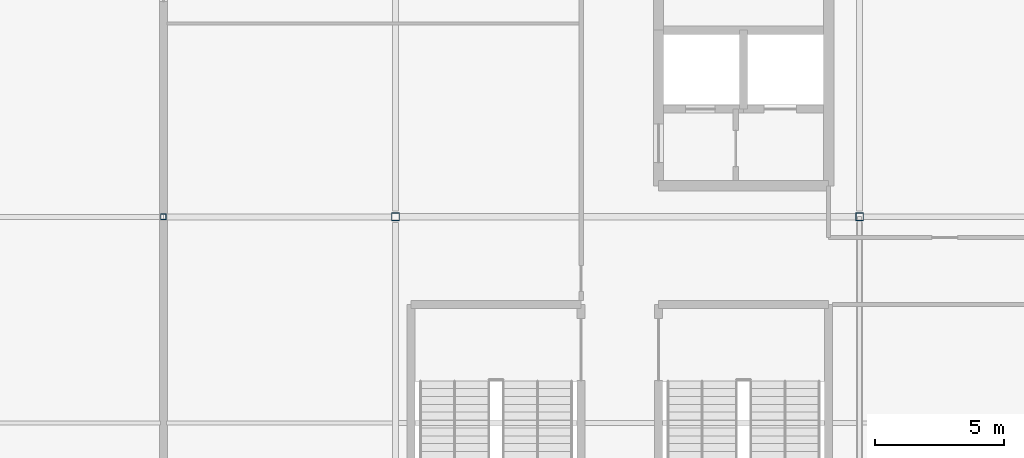
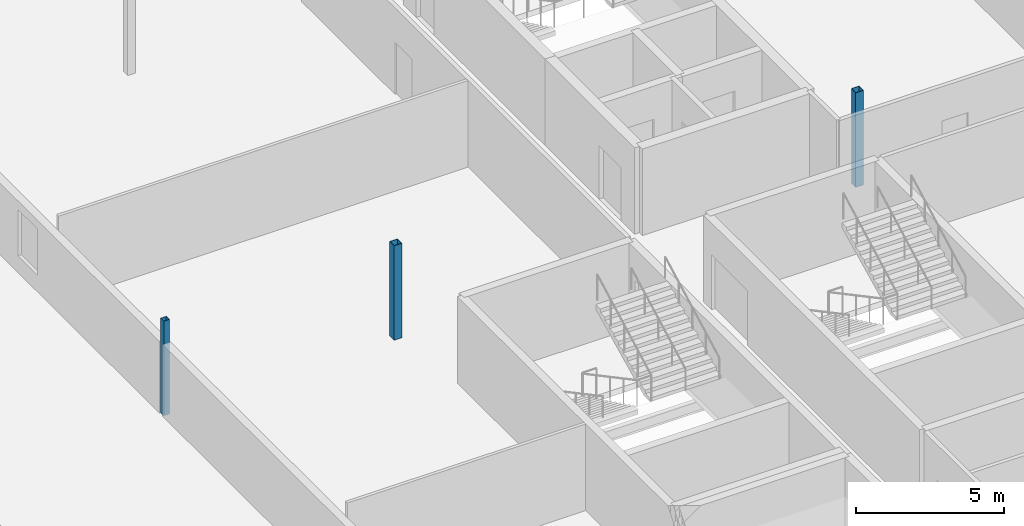
# One storey, part 16 of 55: 3 columns.
"""IFC4 building model written with IfcOpenShell, lengths in metres."""

from ifc_helpers import new_model, si_unit, direction, frame, origin, origin_2d, place, context, subcontext, project, spatial, hollow_rectangle, extrude, material, material_profile, profile_set, type_object, element, save


model = new_model("IFC4")

# Units and contexts
model_context = context("Model", 3, precision=1e-05, world=origin(), true_north=direction((0.0, 1.0)))
body_context = subcontext(model_context, "Body", "Model", "MODEL_VIEW")
ifc_project = project(units=[si_unit("LENGTHUNIT", "METRE"), si_unit("AREAUNIT", "SQUARE_METRE"), si_unit("VOLUMEUNIT", "CUBIC_METRE"), si_unit("PLANEANGLEUNIT", "RADIAN"), si_unit("MASSUNIT", "GRAM", prefix="KILO")], contexts=[model_context])

# Site, building, storey
site_placement = place(None, origin())
site = spatial("IfcSite", under=ifc_project, at=site_placement, CompositionType="ELEMENT")
building_placement = place(site_placement, origin())
building = spatial("IfcBuilding", under=site, at=building_placement, Name="Kisiwana Market Hall", CompositionType="ELEMENT")
storey_placement = place(building_placement, frame((0.0, 0.0, 37.800048828125)))
storey = spatial("IfcBuildingStorey", under=building, at=storey_placement, Name="L08", CompositionType="ELEMENT", Elevation=37.800048828125)

# Columns
ifc_material_1 = material(Name="Steel S355", Category="steel")
ifc_material_profile_1 = material_profile(ifc_material_1, hollow_rectangle(XDim=0.219970703125, YDim=0.219970703125, WallThickness=0.010009765625, at=origin_2d()), Name="SHS 220x220x10")
ifc_profile_set_1 = profile_set([ifc_material_profile_1], Name="Steel S355")
column_type_1 = type_object("IfcColumnType", Name="COL-STL-SHS220", PredefinedType="COLUMN", material=ifc_profile_set_1)
column_placement = place(storey_placement, frame((162.0, 84.0, 0.0), z_axis=(0.0, 0.0, 1.0), x_axis=(1.0, 0.0, 0.0)))
element("IfcColumn", 1, at=column_placement, inside=storey, type_object=column_type_1, Name="Column L/19 (L08) C-1183", PredefinedType="COLUMN", context=body_context, shape_type="SweptSolid", body=[
    extrude(hollow_rectangle(XDim=0.219970703125, YDim=0.219970703125, WallThickness=0.010009765625, at=origin_2d()), origin(), (0.0, 0.0, 1.0), 3.89990234375),
])
ifc_material_2 = material(Name="Steel S355", Category="steel")
ifc_material_profile_2 = material_profile(ifc_material_2, hollow_rectangle(XDim=0.300048828125, YDim=0.300048828125, WallThickness=0.012451171875, at=origin_2d()), Name="SHS 300x300x12.5")
ifc_profile_set_2 = profile_set([ifc_material_profile_2], Name="Steel S355")
column_type_2 = type_object("IfcColumnType", Name="COL-STL-SHS300", PredefinedType="COLUMN", material=ifc_profile_set_2)
for number, where, z_axis, x_axis, name in (
    (2, (171.0, 84.0, 0.0), (0.0, 0.0, 1.0), (1.0, 0.0, 0.0), "Column L/20 (L08) C-1190"),
    (3, (189.0, 84.0, 0.0), (0.0, 0.0, 1.0), (1.0, 0.0, 0.0), "Column L/22 (L08) C-1196"),
):
    element("IfcColumn", number, at=place(storey_placement, frame(where, z_axis=z_axis, x_axis=x_axis)), inside=storey, type_object=column_type_2, Name=name, PredefinedType="COLUMN", context=body_context, shape_type="SweptSolid", body=[
        extrude(hollow_rectangle(XDim=0.300048828125, YDim=0.300048828125, WallThickness=0.012451171875, at=origin_2d()), origin(), (0.0, 0.0, 1.0), 3.89990234375),
    ])

save(model, "model.ifc")
